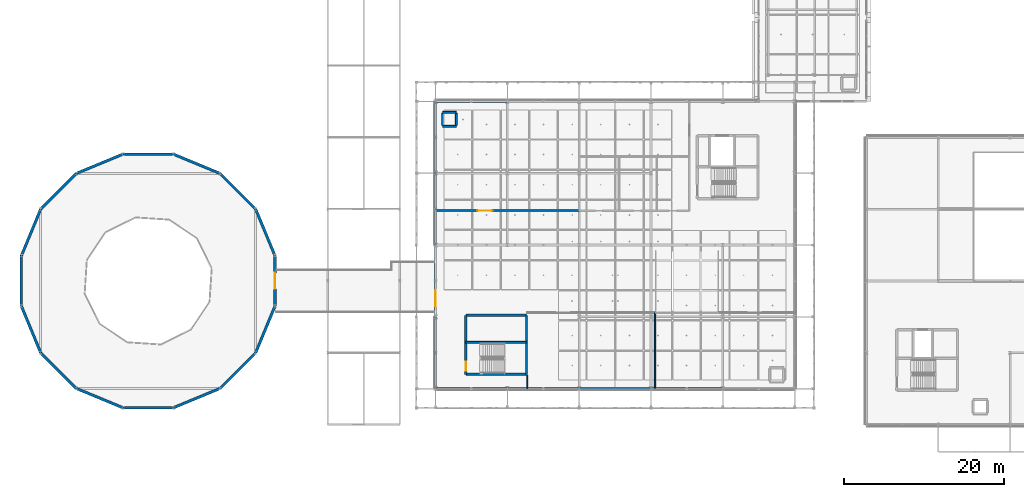
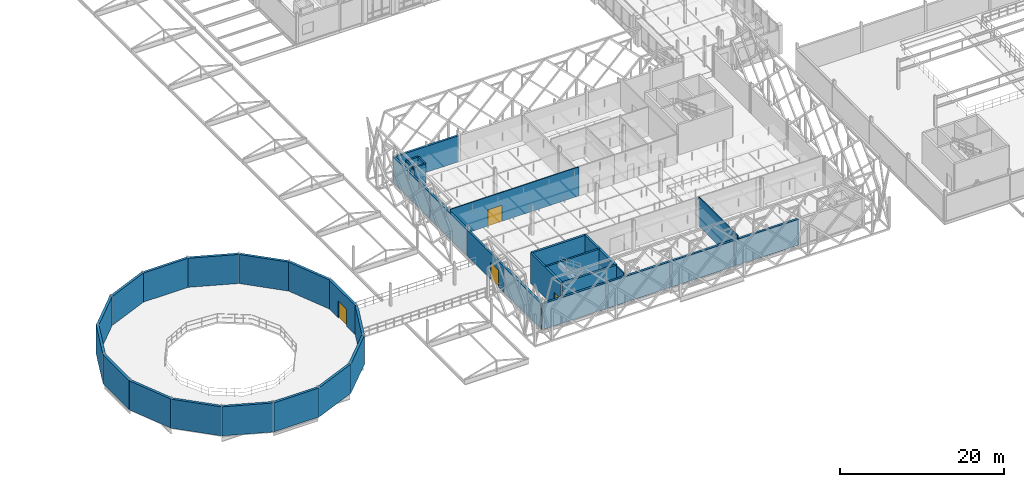
# One storey, part 89 of 140: 37 walls, 4 doors, 4 openings.
"""IFC4 building model written with IfcOpenShell, lengths in metres."""

import ifcopenshell
import ifcopenshell.guid

model = None  # the IFC model being written
_history = None  # IfcOwnerHistory: only IFC2X3 demands one
_inside = {}  # id of a spatial element -> (the spatial element, [elements in it])
_under = {}  # id of a project, library or spatial element -> (it, [spatial elements below it])
_declared = {}  # id of a project -> (the project, [libraries it declares])
_typed = {}  # id of a type object -> (the type object, [elements of that type])
_made_of = {}  # id of a material, layer set ... -> (it, [elements and type objects made of it])


def new_model(schema):
    """Start an empty IFC model of exactly this schema.

    Asked for "IFC4X3", IfcOpenShell would pick the latest addendum, in which some entities
    have other attributes; the version numbers below select the first issue.
    IFC2X3 requires an IfcOwnerHistory on every rooted entity: one is made here for all.
    """
    global model, _history
    if schema == "IFC4X3":
        model = ifcopenshell.file(schema_version=(4, 3, 0, 0))
    else:
        model = ifcopenshell.file(schema=schema)
    _inside.clear()
    _under.clear()
    _declared.clear()
    _typed.clear()
    _made_of.clear()
    _history = None
    if model.schema == "IFC2X3":
        org = make("IfcOrganization", Name="unknown")
        user = make(
            "IfcPersonAndOrganization",
            ThePerson=make("IfcPerson", FamilyName="unknown"),
            TheOrganization=org,
        )
        app = make(
            "IfcApplication",
            ApplicationDeveloper=org,
            Version="unknown",
            ApplicationFullName="unknown",
            ApplicationIdentifier="unknown",
        )
        _history = make(
            "IfcOwnerHistory",
            OwningUser=user,
            OwningApplication=app,
            ChangeAction="ADDED",
            CreationDate=0,
        )
    return model


def make(cls, **values):
    """One entity of the class cls with the attributes given. An attribute that is None is left unset."""
    return model.create_entity(
        cls, **{name: value for name, value in values.items() if value is not None}
    )


def rooted(cls, **values):
    """An entity with a GlobalId (a new one), such as an element, a storey or a relation."""
    return make(cls, GlobalId=ifcopenshell.guid.new(), OwnerHistory=_history, **values)


def si_unit(unit_type, name, prefix=None):
    """IfcSIUnit, for example si_unit("LENGTHUNIT", "METRE", prefix="MILLI")."""
    return make("IfcSIUnit", UnitType=unit_type, Prefix=prefix, Name=name)


def assignment(units):
    """IfcUnitAssignment: the units of a project."""
    return None if units is None else make("IfcUnitAssignment", Units=units)


def point(xyz):
    """IfcCartesianPoint."""
    return None if xyz is None else make("IfcCartesianPoint", Coordinates=xyz)


def direction(xyz):
    """IfcDirection."""
    return None if xyz is None else make("IfcDirection", DirectionRatios=xyz)


def frame(location, z_axis=None, x_axis=None):
    """IfcAxis2Placement3D, a coordinate frame: its origin and axes. An axis left out is left unset."""
    return make(
        "IfcAxis2Placement3D",
        Location=point(location),
        Axis=direction(z_axis),
        RefDirection=direction(x_axis),
    )


def frame_2d(location, x_axis=None):
    """IfcAxis2Placement2D, a coordinate frame in the plane: its origin and x axis."""
    return make(
        "IfcAxis2Placement2D", Location=point(location), RefDirection=direction(x_axis)
    )


def origin():
    """The frame at (0, 0, 0) with its axes left unset."""
    return frame((0.0, 0.0, 0.0))


def place(relative_to, where):
    """IfcLocalPlacement: puts the frame where relative to a parent placement (None: the world)."""
    return make(
        "IfcLocalPlacement", PlacementRelTo=relative_to, RelativePlacement=where
    )


def context(
    kind, dimensions, precision=None, world=None, true_north=None, identifier=None
):
    """IfcGeometricRepresentationContext, for example the 3D "Model" context."""
    return make(
        "IfcGeometricRepresentationContext",
        ContextIdentifier=identifier,
        ContextType=kind,
        CoordinateSpaceDimension=dimensions,
        Precision=precision,
        WorldCoordinateSystem=world,
        TrueNorth=true_north,
    )


def subcontext(parent, identifier, kind, view, scale=None):
    """IfcGeometricRepresentationSubContext, for example "Body" below "Model"."""
    return make(
        "IfcGeometricRepresentationSubContext",
        ContextIdentifier=identifier,
        ContextType=kind,
        ParentContext=parent,
        TargetScale=scale,
        TargetView=view,
    )


def project(units=None, contexts=None):
    """IfcProject with its units and contexts."""
    return rooted(
        "IfcProject",
        Name="project",
        RepresentationContexts=contexts,
        UnitsInContext=assignment(units),
    )


def spatial(cls, under=None, at=None, **own):
    """A site, building, storey or space (cls), placed at a placement, below another one or the project."""
    s = rooted(cls, ObjectPlacement=at, **own)
    if under is not None:
        _under.setdefault(under.id(), (under, []))[1].append(s)
    return s


def profile(cls, at=None, kind="AREA", **sizes):
    """A parametric profile (cls). Its sizes go by their IFC names, for example OverallWidth=200.0."""
    return make(cls, ProfileType=kind, Position=at, **sizes)


def rectangle(**sizes):
    """IfcRectangleProfileDef."""
    return profile("IfcRectangleProfileDef", **sizes)


def extrude(swept, where, along, depth):
    """IfcExtrudedAreaSolid: the profile swept, set in the frame where, extruded along a direction by depth."""
    return make(
        "IfcExtrudedAreaSolid",
        SweptArea=swept,
        Position=where,
        ExtrudedDirection=direction(along),
        Depth=depth,
    )


def shape(context_of_items, identifier, shape_type, items):
    """IfcShapeRepresentation: the items that make up one representation, for example the "Body"."""
    return make(
        "IfcShapeRepresentation",
        ContextOfItems=context_of_items,
        RepresentationIdentifier=identifier,
        RepresentationType=shape_type,
        Items=items,
    )


def material(Name=None, Category=None):
    """IfcMaterial."""
    return make("IfcMaterial", Name=Name, Category=Category)


def layer(
    of_material, thickness, ventilated=None, Name=None, Category=None, Priority=None
):
    """IfcMaterialLayer: one layer of a wall or slab, of a material (None: an air gap)."""
    return make(
        "IfcMaterialLayer",
        Material=of_material,
        LayerThickness=thickness,
        IsVentilated=ventilated,
        Name=Name,
        Category=Category,
        Priority=Priority,
    )


def layer_set(layers, Name=None):
    """IfcMaterialLayerSet."""
    return make("IfcMaterialLayerSet", MaterialLayers=layers, LayerSetName=Name)


def made_of(thing, what):
    """Note that an element or type object is made of a material, layer set ...; save() writes the relation."""
    if what is not None:
        _made_of.setdefault(what.id(), (what, []))[1].append(thing)
    return thing


def type_object(cls, material=None, **own):
    """A type object (cls), such as IfcWallType, which elements share."""
    return made_of(rooted(cls, **own), material)


def element(
    cls,
    number,
    at=None,
    inside=None,
    cuts=None,
    type_object=None,
    material=None,
    context=None,
    identifier="Body",
    shape_type=None,
    held_by="IfcProductDefinitionShape",
    body=None,
    shapes=None,
    **own,
):
    """One element of the class cls, such as IfcWall. Its Tag is "e" and its number.

    at: its placement. inside: the storey or other place that contains it. cuts: it is an
    opening in that element (IfcRelVoidsElement). A single representation is given by context,
    identifier, shape_type and body (its items); several are given by shapes. held_by: the class
    of the entity that holds the representations. save() writes the other relations.
    """
    e = rooted(cls, Tag="e%d" % number, ObjectPlacement=at, **own)
    if body is not None:
        shapes = [shape(context, identifier, shape_type, body)]
    if shapes is not None:
        e.Representation = make(held_by, Representations=shapes)
    if inside is not None:
        _inside.setdefault(inside.id(), (inside, []))[1].append(e)
    if cuts is not None:
        rooted(
            "IfcRelVoidsElement", RelatingBuildingElement=cuts, RelatedOpeningElement=e
        )
    if type_object is not None:
        _typed.setdefault(type_object.id(), (type_object, []))[1].append(e)
    return made_of(e, material)


def fill(opening, filler):
    """IfcRelFillsElement: the door or window that sits in an opening."""
    return rooted(
        "IfcRelFillsElement",
        RelatingOpeningElement=opening,
        RelatedBuildingElement=filler,
    )


def aggregate(whole, parts):
    """IfcRelAggregates: a whole, such as a stair, and the parts it consists of."""
    return rooted("IfcRelAggregates", RelatingObject=whole, RelatedObjects=parts)


def save(model, path):
    """Write the relations noted so far, then the file.

    IfcRelAggregates (storeys below a building ...), IfcRelContainedInSpatialStructure (elements
    in a storey), IfcRelDefinesByType, IfcRelAssociatesMaterial and IfcRelDeclares: one each for
    every whole, place, type object, material and project.
    """
    for whole, parts in _under.values():
        aggregate(whole, parts)
    for where, things in _inside.values():
        rooted(
            "IfcRelContainedInSpatialStructure",
            RelatedElements=things,
            RelatingStructure=where,
        )
    for kind, things in _typed.values():
        rooted("IfcRelDefinesByType", RelatedObjects=things, RelatingType=kind)
    for what, things in _made_of.values():
        rooted("IfcRelAssociatesMaterial", RelatedObjects=things, RelatingMaterial=what)
    for by, libraries in _declared.values():
        rooted("IfcRelDeclares", RelatingContext=by, RelatedDefinitions=libraries)
    model.write(path)


model = new_model("IFC4")

# Units and contexts
model_context = context("Model", 3, precision=1e-05, world=origin(), true_north=direction((0.0, 1.0)))
body_context = subcontext(model_context, "Body", "Model", "MODEL_VIEW")
ifc_project = project(units=[si_unit("LENGTHUNIT", "METRE"), si_unit("AREAUNIT", "SQUARE_METRE"), si_unit("VOLUMEUNIT", "CUBIC_METRE"), si_unit("PLANEANGLEUNIT", "RADIAN"), si_unit("MASSUNIT", "GRAM", prefix="KILO"), si_unit("THERMODYNAMICTEMPERATUREUNIT", "KELVIN"), si_unit("POWERUNIT", "WATT")], contexts=[model_context])

# Site, building, storey
site_placement = place(None, origin())
site = spatial("IfcSite", under=ifc_project, at=site_placement, CompositionType="ELEMENT")
building_placement = place(site_placement, origin())
building = spatial("IfcBuilding", under=site, at=building_placement, Name="Tallowbark Science Centre", CompositionType="ELEMENT")
storey_placement = place(building_placement, frame((0.0, 0.0, 9.89990234375)))
storey = spatial("IfcBuildingStorey", under=building, at=storey_placement, Name="L02", CompositionType="ELEMENT", Elevation=9.89990234375)

# Wall, opening, door
ifc_material_1 = material(Name="Spotted Gum Glulam and Mineral-Wool Rainscreen Assembly", Category="wood")
ifc_layer_1 = layer(ifc_material_1, 0.280029296875)
ifc_layer_set_1 = layer_set([ifc_layer_1], Name="Spotted Gum Glulam and Mineral-Wool Rainscreen Assembly")
wall_type_1 = type_object("IfcWallType", Name="EWL-TIM-280", PredefinedType="STANDARD", material=ifc_layer_set_1)
wall_1_placement = place(storey_placement, frame((58.5, 22.5, 0.0), z_axis=(0.0, 0.0, 1.0), x_axis=(0.0, -1.0, 0.0)))
wall_1 = element("IfcWall", 1, at=wall_1_placement, inside=storey, type_object=wall_type_1, Name="Exterior Wall CUB-W-L02-1", PredefinedType="STANDARD", context=body_context, shape_type="SweptSolid", body=[
    extrude(rectangle(XDim=9.0, YDim=0.280029296875, at=frame_2d((4.5, 0.0))), origin(), (0.0, 0.0, 1.0), 3.84619140625),
])
opening_1_placement = place(wall_1_placement, frame((5.64990234375, 0.0, 0.0)))
opening_1 = element("IfcOpeningElement", 2, at=opening_1_placement, cuts=wall_1, Name="Opening ED-02", PredefinedType="OPENING", context=body_context, shape_type="SweptSolid", body=[
    extrude(rectangle(XDim=2.0, YDim=2.5, at=frame_2d((1.0, 1.25))), frame((0.0, 0.14990234375, 0.0), z_axis=(0.0, -1.0, 0.0), x_axis=(1.0, 0.0, 0.0)), (0.0, 0.0, 1.0), 0.300048828125),
])
ifc_material_2 = material(Name="Thermally Broken Glazed Aluminium Frame", Category="aluminium")
door_type_1 = type_object("IfcDoorType", Name="EDR-GLZ-200", OperationType="DOUBLE_DOOR_SINGLE_SWING", PredefinedType="DOOR", material=ifc_material_2)
door_1_placement = place(opening_1_placement, origin())
door_1 = element("IfcDoor", 3, at=door_1_placement, inside=storey, type_object=door_type_1, Name="Exterior Door EDR-L02-012", OperationType="DOUBLE_DOOR_SINGLE_SWING", OverallHeight=2.5, OverallWidth=2.0, PredefinedType="DOOR", context=body_context, shape_type="SweptSolid", body=[
    extrude(rectangle(XDim=2.0, YDim=2.5, at=frame_2d((1.0, 1.25))), frame((0.0, 0.02490234375, 0.0), z_axis=(0.0, -1.0, 0.0), x_axis=(1.0, 0.0, 0.0)), (0.0, 0.0, 1.0), 0.050048828125),
])
fill(opening_1, door_1)

# Walls
ifc_material_3 = material(Name="Spotted Gum Acoustic Cassette Wall Assembly", Category="wood")
ifc_layer_2 = layer(ifc_material_3, 0.294921875)
ifc_layer_set_2 = layer_set([ifc_layer_2], Name="Spotted Gum Acoustic Cassette Wall Assembly")
wall_type_2 = type_object("IfcWallType", Name="EWL-TIM-295", PredefinedType="STANDARD", material=ifc_layer_set_2)
for number, where, z_axis, x_axis, name in (
    (4, (58.5, 4.5, 0.0), (0.0, 0.0, 1.0), (1.0, 0.0, 0.0), "Exterior Wall CUB-S-L02-0"),
    (5, (67.5, 40.5, 0.0), (0.0, 0.0, 1.0), (-1.0, 0.0, 0.0), "Exterior Wall CUB-N-L02-0"),
    (6, (67.5, 4.5, 0.0), (0.0, 0.0, 1.0), (1.0, 0.0, 0.0), "Exterior Wall CUB-S-L02-1"),
    (7, (76.5, 4.5, 0.0), (0.0, 0.0, 1.0), (1.0, 0.0, 0.0), "Exterior Wall CUB-S-L02-2"),
    (8, (85.5, 4.5, 0.0), (0.0, 0.0, 1.0), (1.0, 0.0, 0.0), "Exterior Wall CUB-S-L02-3"),
    (9, (58.5, 13.5, 0.0), (0.0, 0.0, 1.0), (0.0, -1.0, 0.0), "Exterior Wall CUB-W-L02-0"),
    (10, (58.5, 31.5, 0.0), (0.0, 0.0, 1.0), (0.0, -1.0, 0.0), "Exterior Wall CUB-W-L02-2"),
    (11, (58.5, 40.5, 0.0), (0.0, 0.0, 1.0), (0.0, -1.0, 0.0), "Exterior Wall CUB-W-L02-3"),
):
    element("IfcWall", number, at=place(storey_placement, frame(where, z_axis=z_axis, x_axis=x_axis)), inside=storey, type_object=wall_type_2, Name=name, PredefinedType="STANDARD", context=body_context, shape_type="SweptSolid", body=[
        extrude(rectangle(XDim=9.0, YDim=0.294921875, at=frame_2d((4.5, 0.0))), origin(), (0.0, 0.0, 1.0), 3.84619140625),
    ])
ifc_material_4 = material(Name="132 mm Acoustic Laboratory Steel Stud Partition", Category="steel")
ifc_layer_3 = layer(ifc_material_4, 0.132080078125)
ifc_layer_set_3 = layer_set([ifc_layer_3], Name="132 mm Acoustic Laboratory Steel Stud Partition")
wall_type_3 = type_object("IfcWallType", Name="PTW-132", PredefinedType="PARTITIONING", material=ifc_layer_set_3)
wall_2_placement = place(storey_placement, frame((70.0, 4.5, 0.0), z_axis=(0.0, 0.0, 1.0), x_axis=(0.0, 1.0, 0.0)))
element("IfcWall", 12, at=wall_2_placement, inside=storey, type_object=wall_type_3, Name="Interior Partition PTW-L02-0205", PredefinedType="PARTITIONING", context=body_context, shape_type="SweptSolid", body=[
    extrude(rectangle(XDim=1.699951171875, YDim=0.132080078125, at=frame_2d((0.85009765625, 0.0))), origin(), (0.0, 0.0, 1.0), 4.320068359375),
])
wall_3_placement = place(storey_placement, frame((86.0, 4.5, 0.0), z_axis=(0.0, 0.0, 1.0), x_axis=(0.0, 1.0, 0.0)))
element("IfcWall", 13, at=wall_3_placement, inside=storey, type_object=wall_type_3, Name="Interior Partition PTW-L02-0207", PredefinedType="PARTITIONING", context=body_context, shape_type="SweptSolid", body=[
    extrude(rectangle(XDim=9.5, YDim=0.132080078125, at=frame_2d((4.75, 0.0))), origin(), (0.0, 0.0, 1.0), 4.320068359375),
])

# Wall, opening, door
ifc_material_5 = material(Name="125 mm Top-Hung Operable Acoustic Exhibition Partition")
ifc_layer_4 = layer(ifc_material_5, 0.125)
ifc_layer_set_4 = layer_set([ifc_layer_4], Name="125 mm Top-Hung Operable Acoustic Exhibition Partition")
wall_type_4 = type_object("IfcWallType", Name="PTW-MOV-125", PredefinedType="MOVABLE", material=ifc_layer_set_4)
wall_4_placement = place(storey_placement, frame((58.5, 26.800048828125, 0.0), z_axis=(0.0, 0.0, 1.0), x_axis=(1.0, 0.0, 0.0)))
wall_4 = element("IfcWall", 14, at=wall_4_placement, inside=storey, type_object=wall_type_4, Name="Interior Partition PTW-L02-0210", PredefinedType="MOVABLE", context=body_context, shape_type="SweptSolid", body=[
    extrude(rectangle(XDim=18.0, YDim=0.125, at=frame_2d((9.0, 0.0))), origin(), (0.0, 0.0, 1.0), 4.320068359375),
])
opening_2_placement = place(wall_4_placement, frame((5.199951171875, 0.0, 0.0)))
opening_2 = element("IfcOpeningElement", 15, at=opening_2_placement, cuts=wall_4, Name="Opening ID-02", PredefinedType="OPENING", context=body_context, shape_type="SweptSolid", body=[
    extrude(rectangle(XDim=2.0, YDim=2.39990234375, at=frame_2d((1.0, 1.199951171875))), frame((0.0, 0.072509765625, 0.0), z_axis=(0.0, -1.0, 0.0), x_axis=(1.0, 0.0, 0.0)), (0.0, 0.0, 1.0), 0.14501953125),
])
ifc_material_6 = material(Name="Spotted Gum Acoustic Gallery Pair", Category="wood")
door_type_2 = type_object("IfcDoorType", Name="IDR-GAL-200", OperationType="DOUBLE_DOOR_DOUBLE_SWING", PredefinedType="DOOR", material=ifc_material_6)
door_2_placement = place(opening_2_placement, origin())
door_2 = element("IfcDoor", 16, at=door_2_placement, inside=storey, type_object=door_type_2, Name="Interior Door IDR-L02-0088", OperationType="DOUBLE_DOOR_DOUBLE_SWING", OverallHeight=2.39990234375, OverallWidth=2.0, PredefinedType="DOOR", context=body_context, shape_type="SweptSolid", body=[
    extrude(rectangle(XDim=2.0, YDim=2.39990234375, at=frame_2d((1.0, 1.199951171875))), frame((0.0, 0.02490234375, 0.0), z_axis=(0.0, -1.0, 0.0), x_axis=(1.0, 0.0, 0.0)), (0.0, 0.0, 1.0), 0.050048828125),
])
fill(opening_2, door_2)

ifc_material_7 = material(Name="Concrete Grade N40 (40 MPa)", Category="concrete")
ifc_layer_5 = layer(ifc_material_7, 0.300048828125)
ifc_layer_set_5 = layer_set([ifc_layer_5], Name="Concrete Grade N40 (40 MPa)")
wall_type_5 = type_object("IfcWallType", Name="WL-CORE-300", PredefinedType="SHEAR", material=ifc_layer_set_5)
wall_5_placement = place(storey_placement, frame((62.300048828125, 6.300048828125, 0.0), z_axis=(0.0, 0.0, 1.0), x_axis=(0.0, 1.0, 0.0)))
wall_5 = element("IfcWall", 17, at=wall_5_placement, inside=storey, type_object=wall_type_5, Name="Core C7 Shear Wall L02 W", PredefinedType="SHEAR", context=body_context, shape_type="SweptSolid", body=[
    extrude(rectangle(XDim=7.39990234375, YDim=0.300048828125, at=frame_2d((3.699951171875, 0.0))), origin(), (0.0, 0.0, 1.0), 4.5),
])
opening_3_placement = place(wall_5_placement, frame((0.449951171875, 0.0, 0.0)))
opening_3 = element("IfcOpeningElement", 18, at=opening_3_placement, cuts=wall_5, Name="Opening FD-01", PredefinedType="OPENING", context=body_context, shape_type="SweptSolid", body=[
    extrude(rectangle(XDim=1.14990234375, YDim=2.14990234375, at=frame_2d((0.574951171875, 1.074951171875))), frame((0.0, 0.16015625, 0.0), z_axis=(0.0, -1.0, 0.0), x_axis=(1.0, 0.0, 0.0)), (0.0, 0.0, 1.0), 0.320068359375),
])
ifc_material_8 = material(Name="Fire-Rated Pressed Steel Frame and Solid Core Leaf", Category="steel")
door_type_3 = type_object("IfcDoorType", Name="FDR-STR-115", OperationType="NOTDEFINED", PredefinedType="DOOR", material=ifc_material_8)
door_3_placement = place(opening_3_placement, origin())
door_3 = element("IfcDoor", 19, at=door_3_placement, inside=storey, type_object=door_type_3, Name="Stair ST-07 Fire Door L02", OperationType="SINGLE_SWING_RIGHT", OverallHeight=2.14990234375, OverallWidth=1.14990234375, PredefinedType="DOOR", context=body_context, shape_type="SweptSolid", body=[
    extrude(rectangle(XDim=1.14990234375, YDim=2.14990234375, at=frame_2d((0.574951171875, 1.074951171875))), frame((0.0, 0.02490234375, 0.0), z_axis=(0.0, -1.0, 0.0), x_axis=(1.0, 0.0, 0.0)), (0.0, 0.0, 1.0), 0.050048828125),
])
fill(opening_3, door_3)

# Walls
wall_6_placement = place(storey_placement, frame((69.89990234375, 6.300048828125, 0.0), z_axis=(0.0, 0.0, 1.0), x_axis=(0.0, 1.0, 0.0)))
element("IfcWall", 20, at=wall_6_placement, inside=storey, type_object=wall_type_5, Name="Core C7 Shear Wall L02 E", PredefinedType="SHEAR", context=body_context, shape_type="SweptSolid", body=[
    extrude(rectangle(XDim=7.39990234375, YDim=0.300048828125, at=frame_2d((3.699951171875, 0.0))), origin(), (0.0, 0.0, 1.0), 4.5),
])
for number, where, z_axis, x_axis, name in (
    (21, (62.300048828125, 6.300048828125, 0.0), (0.0, 0.0, 1.0), (1.0, 0.0, 0.0), "Core C7 Shear Wall L02 S"),
    (22, (62.300048828125, 13.699951171875, 0.0), (0.0, 0.0, 1.0), (1.0, 0.0, 0.0), "Core C7 Shear Wall L02 N"),
):
    element("IfcWall", number, at=place(storey_placement, frame(where, z_axis=z_axis, x_axis=x_axis)), inside=storey, type_object=wall_type_5, Name=name, PredefinedType="SHEAR", context=body_context, shape_type="SweptSolid", body=[
        extrude(rectangle(XDim=7.599853515625, YDim=0.300048828125, at=frame_2d((3.7998046875, 0.0))), origin(), (0.0, 0.0, 1.0), 4.5),
    ])
ifc_layer_6 = layer(ifc_material_7, 0.340087890625)
ifc_layer_set_6 = layer_set([ifc_layer_6], Name="Concrete Grade N40 (40 MPa)")
wall_type_6 = type_object("IfcWallType", Name="WL-DRUM-340", PredefinedType="SHEAR", material=ifc_layer_set_6)
wall_7_placement = place(storey_placement, frame((38.388671875, 21.160400390625, 0.0), z_axis=(0.0, 0.0, 1.0), x_axis=(-0.382683814393, 0.92387937427, 0.0)))
element("IfcWall", 23, at=wall_7_placement, inside=storey, type_object=wall_type_6, Name="Planetarium Drum Wall L02 Chord 1", PredefinedType="SHEAR", context=body_context, shape_type="SweptSolid", body=[
    extrude(rectangle(XDim=6.321044921875, YDim=0.340087890625, at=frame_2d((3.16064453125, 0.0))), origin(), (0.0, 0.0, 1.0), 4.320068359375),
])
wall_8_placement = place(storey_placement, frame((35.9697265625, 27.000244140625, 0.0), z_axis=(0.0, 0.0, 1.0), x_axis=(-0.707106781187, 0.707106781187, 0.0)))
element("IfcWall", 24, at=wall_8_placement, inside=storey, type_object=wall_type_6, Name="Planetarium Drum Wall L02 Chord 2", PredefinedType="SHEAR", context=body_context, shape_type="SweptSolid", body=[
    extrude(rectangle(XDim=6.32080078125, YDim=0.340087890625, at=frame_2d((3.160400390625, 0.0))), origin(), (0.0, 0.0, 1.0), 4.320068359375),
])
wall_9_placement = place(storey_placement, frame((31.500244140625, 31.4697265625, 0.0), z_axis=(0.0, 0.0, 1.0), x_axis=(-0.92387937427, 0.382683814393, 0.0)))
element("IfcWall", 25, at=wall_9_placement, inside=storey, type_object=wall_type_6, Name="Planetarium Drum Wall L02 Chord 3", PredefinedType="SHEAR", context=body_context, shape_type="SweptSolid", body=[
    extrude(rectangle(XDim=6.321044921875, YDim=0.340087890625, at=frame_2d((3.16064453125, 0.0))), origin(), (0.0, 0.0, 1.0), 4.320068359375),
])
wall_10_placement = place(storey_placement, frame((25.660400390625, 33.888671875, 0.0), z_axis=(0.0, 0.0, 1.0), x_axis=(-1.0, 0.0, 0.0)))
element("IfcWall", 26, at=wall_10_placement, inside=storey, type_object=wall_type_6, Name="Planetarium Drum Wall L02 Chord 4", PredefinedType="SHEAR", context=body_context, shape_type="SweptSolid", body=[
    extrude(rectangle(XDim=6.32080078125, YDim=0.340087890625, at=frame_2d((3.160400390625, 0.0))), origin(), (0.0, 0.0, 1.0), 4.320068359375),
])
wall_11_placement = place(storey_placement, frame((19.339599609375, 33.888671875, 0.0), z_axis=(0.0, 0.0, 1.0), x_axis=(-0.92387937427, -0.382683814393, 0.0)))
element("IfcWall", 27, at=wall_11_placement, inside=storey, type_object=wall_type_6, Name="Planetarium Drum Wall L02 Chord 5", PredefinedType="SHEAR", context=body_context, shape_type="SweptSolid", body=[
    extrude(rectangle(XDim=6.321044921875, YDim=0.340087890625, at=frame_2d((3.16064453125, 0.0))), origin(), (0.0, 0.0, 1.0), 4.320068359375),
])
wall_12_placement = place(storey_placement, frame((13.499755859375, 31.4697265625, 0.0), z_axis=(0.0, 0.0, 1.0), x_axis=(-0.707106781187, -0.707106781187, 0.0)))
element("IfcWall", 28, at=wall_12_placement, inside=storey, type_object=wall_type_6, Name="Planetarium Drum Wall L02 Chord 6", PredefinedType="SHEAR", context=body_context, shape_type="SweptSolid", body=[
    extrude(rectangle(XDim=6.32080078125, YDim=0.340087890625, at=frame_2d((3.160400390625, 0.0))), origin(), (0.0, 0.0, 1.0), 4.320068359375),
])
wall_13_placement = place(storey_placement, frame((9.0302734375, 27.000244140625, 0.0), z_axis=(0.0, 0.0, 1.0), x_axis=(-0.382683814393, -0.92387937427, 0.0)))
element("IfcWall", 29, at=wall_13_placement, inside=storey, type_object=wall_type_6, Name="Planetarium Drum Wall L02 Chord 7", PredefinedType="SHEAR", context=body_context, shape_type="SweptSolid", body=[
    extrude(rectangle(XDim=6.321044921875, YDim=0.340087890625, at=frame_2d((3.16064453125, 0.0))), origin(), (0.0, 0.0, 1.0), 4.320068359375),
])
wall_14_placement = place(storey_placement, frame((6.611328125, 21.160400390625, 0.0), z_axis=(0.0, 0.0, 1.0), x_axis=(0.0, -1.0, 0.0)))
element("IfcWall", 30, at=wall_14_placement, inside=storey, type_object=wall_type_6, Name="Planetarium Drum Wall L02 Chord 8", PredefinedType="SHEAR", context=body_context, shape_type="SweptSolid", body=[
    extrude(rectangle(XDim=6.32080078125, YDim=0.340087890625, at=frame_2d((3.160400390625, 0.0))), origin(), (0.0, 0.0, 1.0), 4.320068359375),
])
wall_15_placement = place(storey_placement, frame((6.611328125, 14.839599609375, 0.0), z_axis=(0.0, 0.0, 1.0), x_axis=(0.382683814393, -0.92387937427, 0.0)))
element("IfcWall", 31, at=wall_15_placement, inside=storey, type_object=wall_type_6, Name="Planetarium Drum Wall L02 Chord 9", PredefinedType="SHEAR", context=body_context, shape_type="SweptSolid", body=[
    extrude(rectangle(XDim=6.321044921875, YDim=0.340087890625, at=frame_2d((3.16064453125, 0.0))), origin(), (0.0, 0.0, 1.0), 4.320068359375),
])
wall_16_placement = place(storey_placement, frame((9.0302734375, 8.999755859375, 0.0), z_axis=(0.0, 0.0, 1.0), x_axis=(0.707106781187, -0.707106781187, 0.0)))
element("IfcWall", 32, at=wall_16_placement, inside=storey, type_object=wall_type_6, Name="Planetarium Drum Wall L02 Chord 10", PredefinedType="SHEAR", context=body_context, shape_type="SweptSolid", body=[
    extrude(rectangle(XDim=6.32080078125, YDim=0.340087890625, at=frame_2d((3.160400390625, 0.0))), origin(), (0.0, 0.0, 1.0), 4.320068359375),
])
wall_17_placement = place(storey_placement, frame((13.499755859375, 4.5302734375, 0.0), z_axis=(0.0, 0.0, 1.0), x_axis=(0.92387937427, -0.382683814393, 0.0)))
element("IfcWall", 33, at=wall_17_placement, inside=storey, type_object=wall_type_6, Name="Planetarium Drum Wall L02 Chord 11", PredefinedType="SHEAR", context=body_context, shape_type="SweptSolid", body=[
    extrude(rectangle(XDim=6.321044921875, YDim=0.340087890625, at=frame_2d((3.16064453125, 0.0))), origin(), (0.0, 0.0, 1.0), 4.320068359375),
])
wall_18_placement = place(storey_placement, frame((19.339599609375, 2.111328125, 0.0), z_axis=(0.0, 0.0, 1.0), x_axis=(1.0, 0.0, 0.0)))
element("IfcWall", 34, at=wall_18_placement, inside=storey, type_object=wall_type_6, Name="Planetarium Drum Wall L02 Chord 12", PredefinedType="SHEAR", context=body_context, shape_type="SweptSolid", body=[
    extrude(rectangle(XDim=6.32080078125, YDim=0.340087890625, at=frame_2d((3.160400390625, 0.0))), origin(), (0.0, 0.0, 1.0), 4.320068359375),
])
wall_19_placement = place(storey_placement, frame((25.660400390625, 2.111328125, 0.0), z_axis=(0.0, 0.0, 1.0), x_axis=(0.92387937427, 0.382683814393, 0.0)))
element("IfcWall", 35, at=wall_19_placement, inside=storey, type_object=wall_type_6, Name="Planetarium Drum Wall L02 Chord 13", PredefinedType="SHEAR", context=body_context, shape_type="SweptSolid", body=[
    extrude(rectangle(XDim=6.321044921875, YDim=0.340087890625, at=frame_2d((3.16064453125, 0.0))), origin(), (0.0, 0.0, 1.0), 4.320068359375),
])
wall_20_placement = place(storey_placement, frame((31.500244140625, 4.5302734375, 0.0), z_axis=(0.0, 0.0, 1.0), x_axis=(0.707106781187, 0.707106781187, 0.0)))
element("IfcWall", 36, at=wall_20_placement, inside=storey, type_object=wall_type_6, Name="Planetarium Drum Wall L02 Chord 14", PredefinedType="SHEAR", context=body_context, shape_type="SweptSolid", body=[
    extrude(rectangle(XDim=6.32080078125, YDim=0.340087890625, at=frame_2d((3.160400390625, 0.0))), origin(), (0.0, 0.0, 1.0), 4.320068359375),
])
wall_21_placement = place(storey_placement, frame((35.9697265625, 8.999755859375, 0.0), z_axis=(0.0, 0.0, 1.0), x_axis=(0.382683814393, 0.92387937427, 0.0)))
element("IfcWall", 37, at=wall_21_placement, inside=storey, type_object=wall_type_6, Name="Planetarium Drum Wall L02 Chord 15", PredefinedType="SHEAR", context=body_context, shape_type="SweptSolid", body=[
    extrude(rectangle(XDim=6.321044921875, YDim=0.340087890625, at=frame_2d((3.16064453125, 0.0))), origin(), (0.0, 0.0, 1.0), 4.320068359375),
])

# Wall, opening, door
wall_22_placement = place(storey_placement, frame((38.388671875, 14.839599609375, 0.0), z_axis=(0.0, 0.0, 1.0), x_axis=(0.0, 1.0, 0.0)))
wall_22 = element("IfcWall", 38, at=wall_22_placement, inside=storey, type_object=wall_type_6, Name="Planetarium Drum Wall L02 Chord 16", PredefinedType="SHEAR", context=body_context, shape_type="SweptSolid", body=[
    extrude(rectangle(XDim=6.32080078125, YDim=0.340087890625, at=frame_2d((3.160400390625, 0.0))), origin(), (0.0, 0.0, 1.0), 4.320068359375),
])
opening_4_placement = place(wall_22_placement, frame((2.160400390625, 0.0, 0.0)))
opening_4 = element("IfcOpeningElement", 39, at=opening_4_placement, cuts=wall_22, Name="Opening ED-02", PredefinedType="OPENING", context=body_context, shape_type="SweptSolid", body=[
    extrude(rectangle(XDim=2.0, YDim=2.5, at=frame_2d((1.0, 1.25))), frame((0.0, 0.18017578125, 0.0), z_axis=(0.0, -1.0, 0.0), x_axis=(1.0, 0.0, 0.0)), (0.0, 0.0, 1.0), 0.360107421875),
])
door_4_placement = place(opening_4_placement, origin())
door_4 = element("IfcDoor", 40, at=door_4_placement, inside=storey, type_object=door_type_1, Name="Planetarium Concourse Bridge Door L02", OperationType="DOUBLE_DOOR_SINGLE_SWING", OverallHeight=2.5, OverallWidth=2.0, PredefinedType="DOOR", context=body_context, shape_type="SweptSolid", body=[
    extrude(rectangle(XDim=2.0, YDim=2.5, at=frame_2d((1.0, 1.25))), frame((0.0, 0.02490234375, 0.0), z_axis=(0.0, -1.0, 0.0), x_axis=(1.0, 0.0, 0.0)), (0.0, 0.0, 1.0), 0.050048828125),
])
fill(opening_4, door_4)

# Walls
ifc_layer_7 = layer(ifc_material_7, 0.25)
ifc_layer_set_7 = layer_set([ifc_layer_7], Name="Concrete Grade N40 (40 MPa)")
wall_type_7 = type_object("IfcWallType", Name="WL-SHAFT-250", PredefinedType="SHEAR", material=ifc_layer_set_7)
wall_23_placement = place(storey_placement, frame((62.300048828125, 10.294921875, 0.0), z_axis=(0.0, 0.0, 1.0), x_axis=(1.0, 0.0, 0.0)))
element("IfcWall", 41, at=wall_23_placement, inside=storey, type_object=wall_type_7, Name="Core C7 Shear Wall L02 MID", PredefinedType="SHEAR", context=body_context, shape_type="SweptSolid", body=[
    extrude(rectangle(XDim=7.599853515625, YDim=0.25, at=frame_2d((3.7998046875, 0.0))), origin(), (0.0, 0.0, 1.0), 4.5),
])
for number, where, z_axis, x_axis, name in (
    (42, (59.39990234375, 37.375, 0.0), (0.0, 0.0, 1.0), (1.0, 0.0, 0.0), "Service Riser Shaft Wall RSR-CUB-W L02 S"),
    (43, (59.39990234375, 39.125, 0.0), (0.0, 0.0, 1.0), (1.0, 0.0, 0.0), "Service Riser Shaft Wall RSR-CUB-W L02 N"),
):
    element("IfcWall", number, at=place(storey_placement, frame(where, z_axis=z_axis, x_axis=x_axis)), inside=storey, type_object=wall_type_7, Name=name, PredefinedType="SHEAR", context=body_context, shape_type="SweptSolid", body=[
        extrude(rectangle(XDim=1.7001953125, YDim=0.25, at=frame_2d((0.85009765625, 0.0))), origin(), (0.0, 0.0, 1.0), 3.77001953125),
    ])
for number, where, z_axis, x_axis, name in (
    (44, (59.375, 37.5, 0.0), (0.0, 0.0, 1.0), (0.0, 1.0, 0.0), "Service Riser Shaft Wall RSR-CUB-W L02 W"),
    (45, (61.125, 37.5, 0.0), (0.0, 0.0, 1.0), (0.0, 1.0, 0.0), "Service Riser Shaft Wall RSR-CUB-W L02 E"),
):
    element("IfcWall", number, at=place(storey_placement, frame(where, z_axis=z_axis, x_axis=x_axis)), inside=storey, type_object=wall_type_7, Name=name, PredefinedType="SHEAR", context=body_context, shape_type="SweptSolid", body=[
        extrude(rectangle(XDim=1.5, YDim=0.25, at=frame_2d((0.75, 0.0))), origin(), (0.0, 0.0, 1.0), 3.77001953125),
    ])

save(model, "model.ifc")
